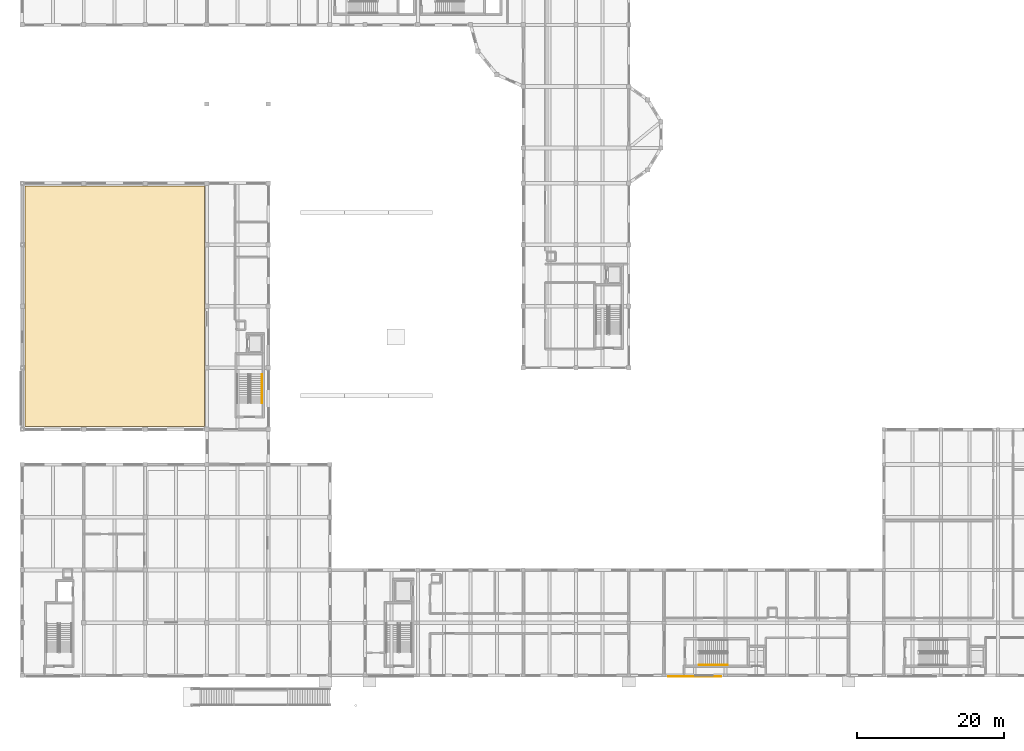
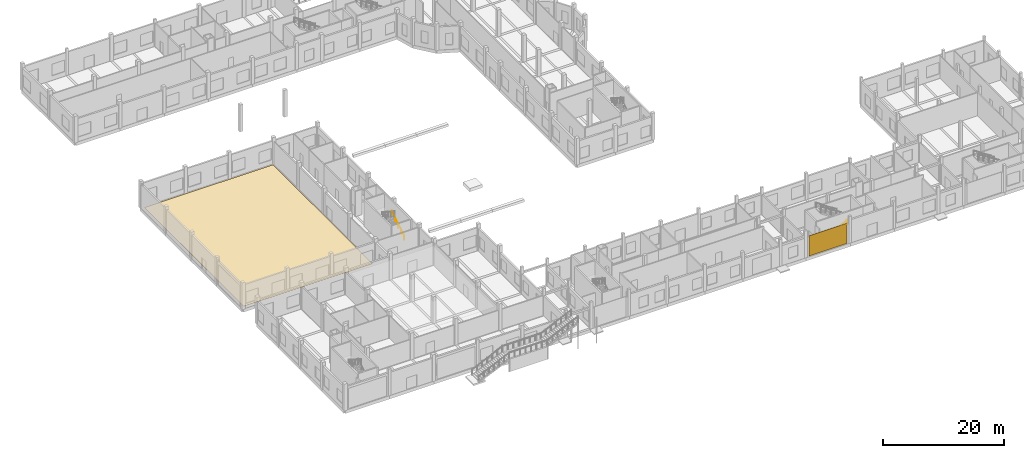
# One storey, part 35 of 41: 2 coverings, 2 railings.
"""IFC4 building model written with IfcOpenShell, lengths in metres."""

from ifc_helpers import new_model, si_unit, direction, frame, origin, origin_2d, place, context, subcontext, project, spatial, polyline, circle, outline, extrude, material, layer, layer_set, type_object, element, save


model = new_model("IFC4")

# Units and contexts
model_context = context("Model", 3, precision=1e-05, world=origin(), true_north=direction((0.0, 1.0)))
body_context = subcontext(model_context, "Body", "Model", "MODEL_VIEW")
ifc_project = project(units=[si_unit("LENGTHUNIT", "METRE"), si_unit("AREAUNIT", "SQUARE_METRE"), si_unit("VOLUMEUNIT", "CUBIC_METRE"), si_unit("PLANEANGLEUNIT", "RADIAN"), si_unit("MASSUNIT", "GRAM", prefix="KILO")], contexts=[model_context])

# Site, building, storey
site_placement = place(None, origin())
site = spatial("IfcSite", under=ifc_project, at=site_placement, CompositionType="ELEMENT")
building_placement = place(site_placement, origin())
building = spatial("IfcBuilding", under=site, at=building_placement, Name="Kahlenmark Community Centre", CompositionType="ELEMENT")
storey_placement = place(building_placement, origin())
storey = spatial("IfcBuildingStorey", under=building, at=storey_placement, Name="L00", CompositionType="ELEMENT", Elevation=0.0)

# Coverings
ifc_material_1 = material(Name="Honed Danube limestone plinth cladding", Category="masonry")
ifc_layer_1 = layer(ifc_material_1, 0.0400390625)
ifc_layer_set_1 = layer_set([ifc_layer_1], Name="Honed Danube limestone plinth cladding")
covering_type_1 = type_object("IfcCoveringType", Name="CVT-CLAD-LIME", PredefinedType="CLADDING", material=ifc_layer_set_1)
covering_1_placement = place(storey_placement, frame((0.0, 0.0, 0.14990234375)))
element("IfcCovering", 1, at=covering_1_placement, inside=storey, type_object=covering_type_1, Name="Danube limestone plinth cladding 04", PredefinedType="CLADDING", context=body_context, shape_type="SweptSolid", body=[
    extrude(outline(polyline([(92.199951171875, 8.6201171875), (99.39990234375, 8.6201171875), (99.39990234375, 8.659912109375), (92.199951171875, 8.659912109375), (92.199951171875, 8.6201171875)])), origin(), (0.0, 0.0, 1.0), 4.050048828125),
])
ifc_material_2 = material(Name="Sprung maple sports hall flooring")
ifc_layer_2 = layer(ifc_material_2, 0.034912109375)
ifc_layer_set_2 = layer_set([ifc_layer_2], Name="Sprung maple sports hall flooring")
covering_type_2 = type_object("IfcCoveringType", Name="CVT-FLR-SPRUNG", PredefinedType="FLOORING", material=ifc_layer_set_2)
covering_2_placement = place(storey_placement, origin())
element("IfcCovering", 2, at=covering_2_placement, inside=storey, type_object=covering_type_2, Name="Multi-Court Sports Hall sprung maple floor", PredefinedType="FLOORING", context=body_context, shape_type="SweptSolid", body=[
    extrude(outline(polyline([(4.39990234375, 42.800048828125), (28.89990234375, 42.800048828125), (28.89990234375, 75.60009765625), (4.39990234375, 75.60009765625), (4.39990234375, 42.800048828125)])), origin(), (0.0, 0.0, 1.0), 0.034912109375),
])

# Railings
ifc_material_3 = material(Name="Brushed stainless steel 1.4301 handrail", Category="steel")
railing_type = type_object("IfcRailingType", Name="RLT-HR-900", PredefinedType="HANDRAIL", material=ifc_material_3)
railing_1_placement = place(storey_placement, frame((36.75, 46.0, 0.179931640625)))
element("IfcRailing", 3, at=railing_1_placement, inside=storey, type_object=railing_type, Name="L00 ST-02 stair handrail 1", PredefinedType="HANDRAIL", context=body_context, shape_type="SweptSolid", body=[
    extrude(circle(Radius=0.02392578125, at=origin_2d()), frame((0.0, 0.0, 0.8759765625), z_axis=(0.0, 0.841171666519, 0.540768182723), x_axis=(-1.0, 0.0, 0.0)), (0.0, 0.0, 1.0), 4.66015625),
    extrude(circle(Radius=0.02099609375, at=origin_2d()), origin(), (0.0, 0.0, 1.0), 0.851806640625),
    extrude(circle(Radius=0.02099609375, at=origin_2d()), frame((0.0, 0.97998046875, 0.6298828125)), (0.0, 0.0, 1.0), 0.851806640625),
    extrude(circle(Radius=0.02099609375, at=origin_2d()), frame((0.0, 1.9599609375, 1.260009765625)), (0.0, 0.0, 1.0), 0.851806640625),
    extrude(circle(Radius=0.02099609375, at=origin_2d()), frame((0.0, 2.93994140625, 1.89013671875)), (0.0, 0.0, 1.0), 0.851806640625),
    extrude(circle(Radius=0.02099609375, at=origin_2d()), frame((0.0, 3.919921875, 2.52001953125)), (0.0, 0.0, 1.0), 0.851806640625),
])
railing_2_placement = place(storey_placement, frame((96.39990234375, 10.25, 0.179931640625)))
element("IfcRailing", 4, at=railing_2_placement, inside=storey, type_object=railing_type, Name="L00 ST-07 stair handrail 1", PredefinedType="HANDRAIL", context=body_context, shape_type="SweptSolid", body=[
    extrude(circle(Radius=0.02392578125, at=origin_2d()), frame((0.0, 0.0, 0.8759765625), z_axis=(0.841186985886, 0.0, 0.540744352514), x_axis=(0.0, 1.0, 0.0)), (0.0, 0.0, 1.0), 4.660400390625),
    extrude(circle(Radius=0.02099609375, at=origin_2d()), origin(), (0.0, 0.0, 1.0), 0.851806640625),
    extrude(circle(Radius=0.02099609375, at=origin_2d()), frame((0.97998046875, 0.0, 0.6298828125)), (0.0, 0.0, 1.0), 0.851806640625),
    extrude(circle(Radius=0.02099609375, at=origin_2d()), frame((1.9599609375, 0.0, 1.260009765625)), (0.0, 0.0, 1.0), 0.851806640625),
    extrude(circle(Radius=0.02099609375, at=origin_2d()), frame((2.940185546875, 0.0, 1.89013671875)), (0.0, 0.0, 1.0), 0.851806640625),
    extrude(circle(Radius=0.02099609375, at=origin_2d()), frame((3.920166015625, 0.0, 2.52001953125)), (0.0, 0.0, 1.0), 0.851806640625),
])

save(model, "model.ifc")
